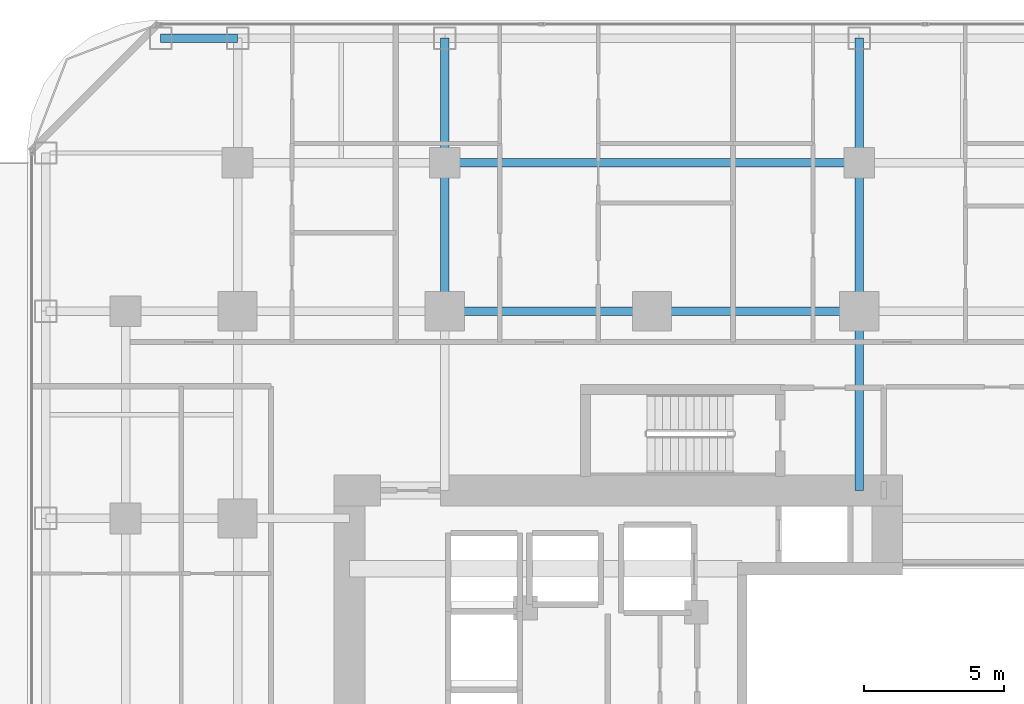
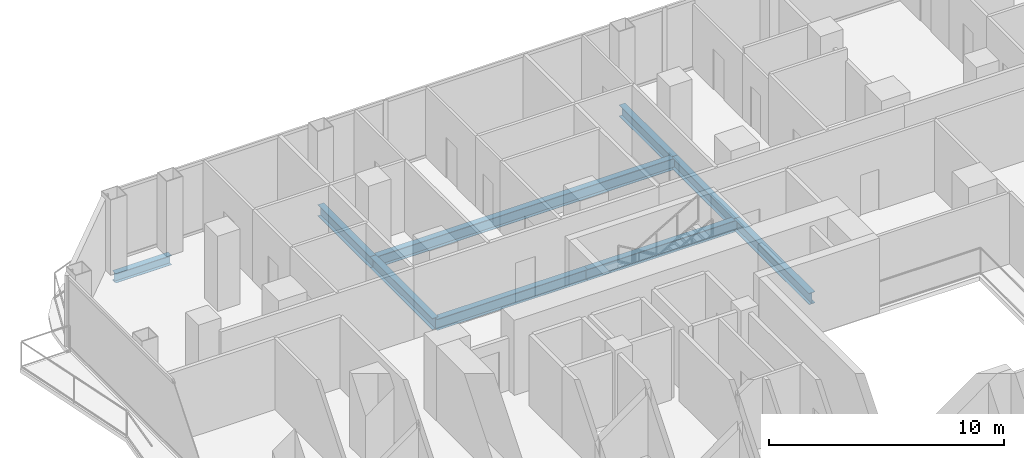
# One storey, part 15 of 27: 9 beams.
"""IFC4 building model written with IfcOpenShell, lengths in metres."""

from ifc_helpers import new_model, si_unit, direction, frame, origin, origin_2d, place, context, subcontext, project, spatial, i_section, extrude, material, material_profile, profile_set, type_object, element, save


model = new_model("IFC4")

# Units and contexts
model_context = context("Model", 3, precision=1e-05, world=origin(), true_north=direction((0.0, 1.0)))
body_context = subcontext(model_context, "Body", "Model", "MODEL_VIEW")
ifc_project = project(units=[si_unit("LENGTHUNIT", "METRE"), si_unit("AREAUNIT", "SQUARE_METRE"), si_unit("VOLUMEUNIT", "CUBIC_METRE"), si_unit("PLANEANGLEUNIT", "RADIAN"), si_unit("MASSUNIT", "GRAM", prefix="KILO")], contexts=[model_context])

# Site, building, storey
site_placement = place(None, origin())
site = spatial("IfcSite", under=ifc_project, at=site_placement, CompositionType="ELEMENT")
building_placement = place(site_placement, origin())
building = spatial("IfcBuilding", under=site, at=building_placement, Name="Khorvyn Point Tower", CompositionType="ELEMENT")
storey_placement = place(building_placement, frame((0.0, 0.0, 46.199951171875)))
storey = spatial("IfcBuildingStorey", under=building, at=storey_placement, Name="L12", CompositionType="ELEMENT", Elevation=46.199951171875)

# Beams
ifc_material = material(Name="Steel S355", Category="steel")
ifc_material_profile_1 = material_profile(ifc_material, i_section(OverallWidth=0.300048828125, OverallDepth=0.587890625, WebThickness=0.011962890625, FlangeThickness=0.02001953125, at=origin_2d()))
ifc_profile_set_1 = profile_set([ifc_material_profile_1], Name="Steel S355 H588x300x12x20")
beam_type_1 = type_object("IfcBeamType", Name="Steel S355 Beam H588x300x12x20", PredefinedType="BEAM", material=ifc_profile_set_1)
for number, where, z_axis, x_axis, name in (
    (1, (-7.39990234375, 14.800048828125, -0.513916015625), (1.0, 0.0, 0.0), (0.0, 1.0, 0.0), "Beam"),
    (2, (0.0, 14.800048828125, -0.513916015625), (1.0, 0.0, 0.0), (0.0, 1.0, 0.0), "Beam"),
):
    element("IfcBeam", number, at=place(storey_placement, frame(where, z_axis=z_axis, x_axis=x_axis)), inside=storey, type_object=beam_type_1, Name=name, PredefinedType="BEAM", context=body_context, shape_type="SweptSolid", body=[
        extrude(i_section(OverallWidth=0.300048828125, OverallDepth=0.587890625, WebThickness=0.011962890625, FlangeThickness=0.02001953125, at=origin_2d()), origin(), (0.0, 0.0, 1.0), 7.39990234375),
    ])
beam_1_placement = place(storey_placement, frame((-7.39990234375, 20.10009765625, -0.513916015625), z_axis=(1.0, 0.0, 0.0), x_axis=(0.0, 1.0, 0.0)))
element("IfcBeam", 3, at=beam_1_placement, inside=storey, type_object=beam_type_1, Name="Beam", PredefinedType="BEAM", context=body_context, shape_type="SweptSolid", body=[
    extrude(i_section(OverallWidth=0.300048828125, OverallDepth=0.587890625, WebThickness=0.011962890625, FlangeThickness=0.02001953125, at=origin_2d()), origin(), (0.0, 0.0, 1.0), 14.7998046875),
])
beam_2_placement = place(storey_placement, frame((-7.39990234375, 14.800048828125, -0.513916015625), z_axis=(0.0, 1.0, 0.0), x_axis=(-1.0, 0.0, 0.0)))
element("IfcBeam", 4, at=beam_2_placement, inside=storey, type_object=beam_type_1, Name="Beam", PredefinedType="BEAM", context=body_context, shape_type="SweptSolid", body=[
    extrude(i_section(OverallWidth=0.300048828125, OverallDepth=0.587890625, WebThickness=0.011962890625, FlangeThickness=0.02001953125, at=origin_2d()), origin(), (0.0, 0.0, 1.0), 5.300048828125),
])
beam_3_placement = place(storey_placement, frame((-7.39990234375, 20.10009765625, -0.513916015625), z_axis=(0.0, 1.0, 0.0), x_axis=(-1.0, 0.0, 0.0)))
element("IfcBeam", 5, at=beam_3_placement, inside=storey, type_object=beam_type_1, Name="Beam", PredefinedType="BEAM", context=body_context, shape_type="SweptSolid", body=[
    extrude(i_section(OverallWidth=0.300048828125, OverallDepth=0.587890625, WebThickness=0.011962890625, FlangeThickness=0.02001953125, at=origin_2d()), origin(), (0.0, 0.0, 1.0), 4.449951171875),
])
beam_4_placement = place(storey_placement, frame((7.39990234375, 8.39990234375, -0.513916015625), z_axis=(0.0, 1.0, 0.0), x_axis=(-1.0, 0.0, 0.0)))
element("IfcBeam", 6, at=beam_4_placement, inside=storey, type_object=beam_type_1, Name="Beam", PredefinedType="BEAM", context=body_context, shape_type="SweptSolid", body=[
    extrude(i_section(OverallWidth=0.300048828125, OverallDepth=0.587890625, WebThickness=0.011962890625, FlangeThickness=0.02001953125, at=origin_2d()), origin(), (0.0, 0.0, 1.0), 6.400146484375),
])
beam_5_placement = place(storey_placement, frame((7.39990234375, 14.800048828125, -0.513916015625), z_axis=(0.0, 1.0, 0.0), x_axis=(-1.0, 0.0, 0.0)))
element("IfcBeam", 7, at=beam_5_placement, inside=storey, type_object=beam_type_1, Name="Beam", PredefinedType="BEAM", context=body_context, shape_type="SweptSolid", body=[
    extrude(i_section(OverallWidth=0.300048828125, OverallDepth=0.587890625, WebThickness=0.011962890625, FlangeThickness=0.02001953125, at=origin_2d()), origin(), (0.0, 0.0, 1.0), 5.300048828125),
])
beam_6_placement = place(storey_placement, frame((7.39990234375, 20.10009765625, -0.513916015625), z_axis=(0.0, 1.0, 0.0), x_axis=(-1.0, 0.0, 0.0)))
element("IfcBeam", 8, at=beam_6_placement, inside=storey, type_object=beam_type_1, Name="Beam", PredefinedType="BEAM", context=body_context, shape_type="SweptSolid", body=[
    extrude(i_section(OverallWidth=0.300048828125, OverallDepth=0.587890625, WebThickness=0.011962890625, FlangeThickness=0.02001953125, at=origin_2d()), origin(), (0.0, 0.0, 1.0), 4.449951171875),
])
ifc_material_profile_2 = material_profile(ifc_material, i_section(OverallWidth=0.300048828125, OverallDepth=0.488037109375, WebThickness=0.010986328125, FlangeThickness=0.01806640625, at=origin_2d()))
ifc_profile_set_2 = profile_set([ifc_material_profile_2], Name="Steel S355 H488x300x11x18")
beam_type_2 = type_object("IfcBeamType", Name="Steel S355 Spandrel H488x300x11x18", PredefinedType="SPANDREL", material=ifc_profile_set_2)
beam_7_placement = place(storey_placement, frame((-17.550048828125, 24.550048828125, -0.4638671875), z_axis=(1.0, 0.0, 0.0), x_axis=(0.0, 1.0, 0.0)))
element("IfcBeam", 9, at=beam_7_placement, inside=storey, type_object=beam_type_2, Name="Beam", PredefinedType="SPANDREL", context=body_context, shape_type="SweptSolid", body=[
    extrude(i_section(OverallWidth=0.300048828125, OverallDepth=0.488037109375, WebThickness=0.010986328125, FlangeThickness=0.01806640625, at=origin_2d()), origin(), (0.0, 0.0, 1.0), 2.75),
])

save(model, "model.ifc")
